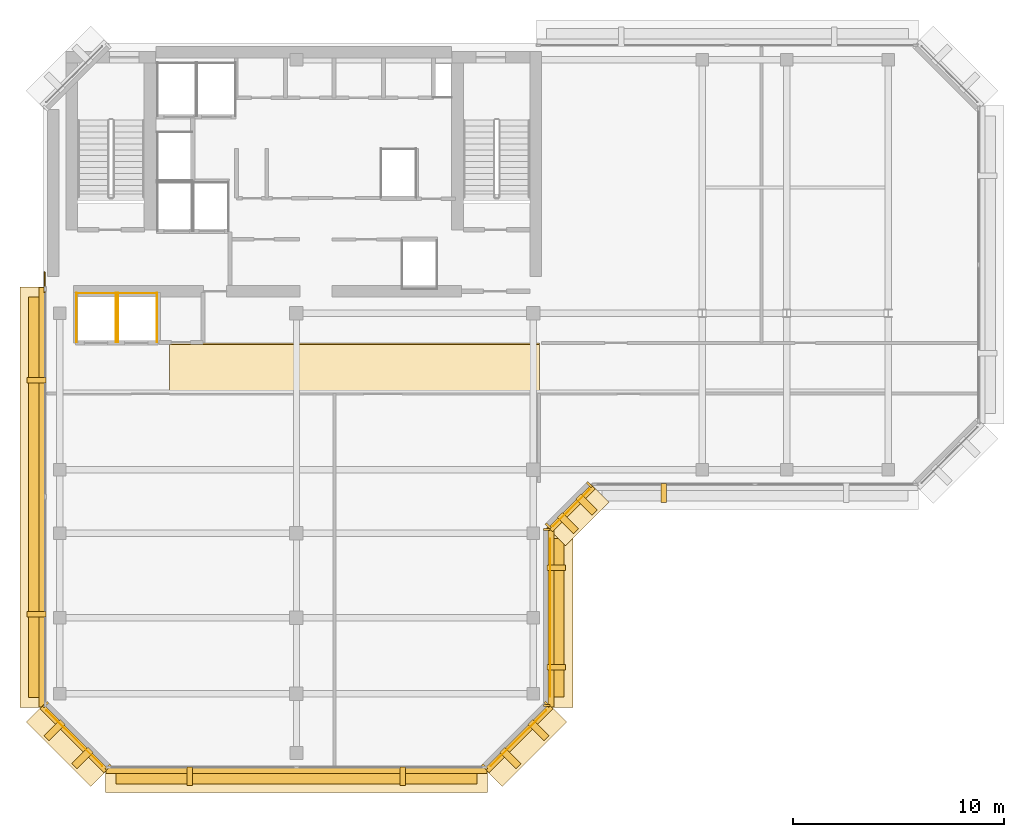
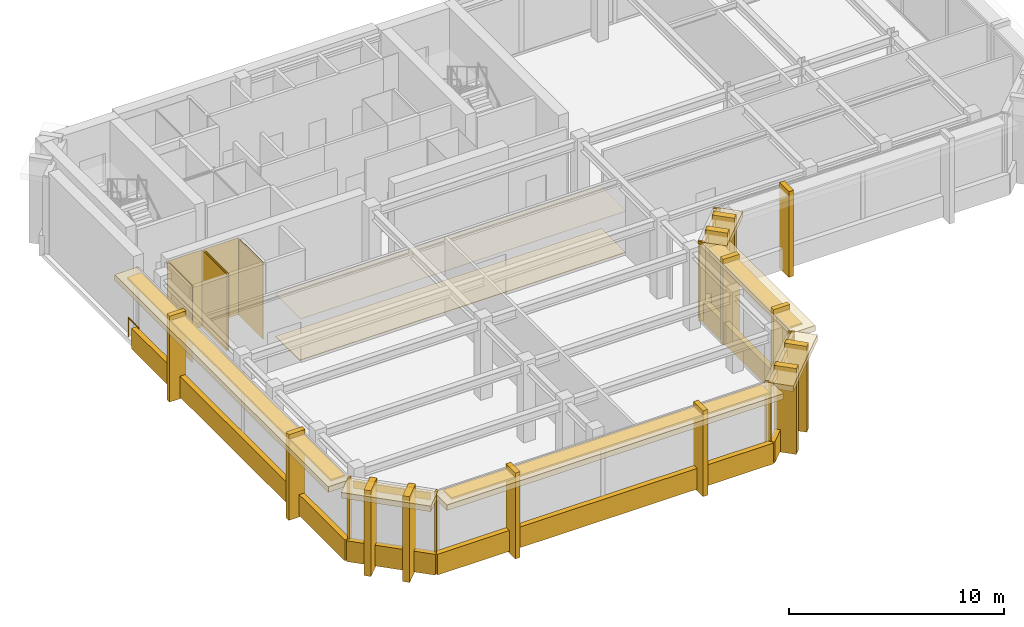
# One storey, part 7 of 9: 45 coverings, 3 shading devices, 1 railing.
"""IFC4 building model written with IfcOpenShell, lengths in metres."""

from ifc_helpers import new_model, si_unit, direction, frame, origin, origin_2d, place, context, subcontext, project, spatial, polyline, rectangle, circle, outline, extrude, material, layer, layer_set, type_object, element, save


model = new_model("IFC4")

# Units and contexts
model_context = context("Model", 3, precision=1e-05, world=origin(), true_north=direction((0.0, 1.0)))
body_context = subcontext(model_context, "Body", "Model", "MODEL_VIEW")
ifc_project = project(units=[si_unit("LENGTHUNIT", "METRE"), si_unit("AREAUNIT", "SQUARE_METRE"), si_unit("VOLUMEUNIT", "CUBIC_METRE"), si_unit("PLANEANGLEUNIT", "RADIAN"), si_unit("MASSUNIT", "GRAM", prefix="KILO")], contexts=[model_context])

# Site, building, storey
site_placement = place(None, origin())
site = spatial("IfcSite", under=ifc_project, at=site_placement, CompositionType="ELEMENT")
building_placement = place(site_placement, origin())
building = spatial("IfcBuilding", under=site, at=building_placement, Name="Kefirva Bronze Tower", CompositionType="ELEMENT")
storey_placement = place(building_placement, frame((0.0, 0.0, 352.110107421875)))
storey = spatial("IfcBuildingStorey", under=building, at=storey_placement, Name="L86", CompositionType="ELEMENT", Elevation=352.110107421875)

# Coverings
ifc_material_1 = material(Name="Acoustic mineral tile")
ifc_layer_1 = layer(ifc_material_1, 0.02490234375, Name="Acoustic mineral tile")
ifc_layer_set_1 = layer_set([ifc_layer_1], Name="Acoustic mineral tile")
covering_type_1 = type_object("IfcCoveringType", Name="Acoustic Mineral Suspended Ceiling 25mm", PredefinedType="CEILING", material=ifc_layer_set_1)
covering_1_placement = place(storey_placement, frame((0.0, 0.0, 2.39990234375)))
element("IfcCovering", 1, at=covering_1_placement, inside=storey, type_object=covering_type_1, Name="L86 Corridor Acoustic Ceiling", PredefinedType="CEILING", context=body_context, shape_type="SweptSolid", body=[
    extrude(outline(polyline([(6.0, 29.39990234375), (23.5, 29.39990234375), (23.5, 31.800048828125), (6.0, 31.800048828125), (6.0, 29.39990234375)])), origin(), (0.0, 0.0, 1.0), 0.02490234375),
])
ifc_material_2 = material(Name="Bronze anodised aluminium", Category="aluminium")
ifc_layer_2 = layer(ifc_material_2, 0.02001953125, Name="Bronze anodised aluminium")
ifc_layer_set_2 = layer_set([ifc_layer_2], Name="Bronze anodised aluminium")
covering_type_2 = type_object("IfcCoveringType", Name="Anodised Bronze Spandrel Cladding 20mm", PredefinedType="CLADDING", material=ifc_layer_set_2)
covering_2_placement = place(storey_placement, frame((12.0, 11.56005859375, -0.16015625), z_axis=(0.0, 0.0, 1.0), x_axis=(1.0, 0.0, 0.0)))
element("IfcCovering", 2, at=covering_2_placement, inside=storey, type_object=covering_type_2, Name="L86 Streamline Horizontal Spandrel Band 0", PredefinedType="CLADDING", context=body_context, shape_type="SweptSolid", body=[
    extrude(rectangle(XDim=18.0400390625, YDim=0.280029296875, at=origin_2d()), origin(), (0.0, 0.0, 1.0), 1.179931640625),
])
covering_3_placement = place(storey_placement, frame((22.507080078125, 13.093017578125, 3.949951171875), z_axis=(0.0, 0.0, 1.0), x_axis=(0.707106781187, 0.707106781187, 0.0)))
element("IfcCovering", 3, at=covering_3_placement, inside=storey, type_object=covering_type_2, Name="L86 Bronze Spandrel Cladding 1", PredefinedType="CLADDING", context=body_context, shape_type="SweptSolid", body=[
    extrude(rectangle(XDim=3.719482421875, YDim=0.02001953125, at=origin_2d()), origin(), (0.0, 0.0, 1.0), 0.39990234375),
])
for number, where, z_axis, x_axis, name in (
    (4, (20.91162109375, 11.73779296875, -0.000244140625), (0.0, 0.0, 1.0), (0.707106781187, 0.707106781187, 0.0), "L86 Facade Joint Closure Panel 1S"),
    (5, (23.862060546875, 14.688232421875, -0.000244140625), (0.0, 0.0, 1.0), (0.707106781187, 0.707106781187, 0.0), "L86 Facade Joint Closure Panel 1E"),
):
    element("IfcCovering", number, at=place(storey_placement, frame(where, z_axis=z_axis, x_axis=x_axis)), inside=storey, type_object=covering_type_2, Name=name, PredefinedType="CLADDING", context=body_context, shape_type="SweptSolid", body=[
        extrude(rectangle(XDim=0.10009765625, YDim=0.320068359375, at=origin_2d()), origin(), (0.0, 0.0, 1.0), 4.3701171875),
    ])
covering_4_placement = place(storey_placement, frame((22.5283203125, 13.07177734375, -0.16015625), z_axis=(0.0, 0.0, 1.0), x_axis=(0.707106781187, 0.707106781187, 0.0)))
element("IfcCovering", 6, at=covering_4_placement, inside=storey, type_object=covering_type_2, Name="L86 Streamline Horizontal Spandrel Band 1", PredefinedType="CLADDING", context=body_context, shape_type="SweptSolid", body=[
    extrude(rectangle(XDim=4.28271484375, YDim=0.280029296875, at=origin_2d()), origin(), (0.0, 0.0, 1.0), 1.179931640625),
])
covering_5_placement = place(storey_placement, frame((24.010009765625, 18.800048828125, 3.949951171875), z_axis=(0.0, 0.0, 1.0), x_axis=(0.0, 1.0, 0.0)))
element("IfcCovering", 7, at=covering_5_placement, inside=storey, type_object=covering_type_2, Name="L86 Bronze Spandrel Cladding 2", PredefinedType="CLADDING", context=body_context, shape_type="SweptSolid", body=[
    extrude(rectangle(XDim=7.4609375, YDim=0.02001953125, at=origin_2d()), origin(), (0.0, 0.0, 1.0), 0.39990234375),
])
for number, where, z_axis, x_axis, name in (
    (8, (23.840087890625, 14.635009765625, -0.000244140625), (0.0, 0.0, 1.0), (0.0, 1.0, 0.0), "L86 Facade Joint Closure Panel 2S"),
    (9, (23.840087890625, 22.965087890625, -0.000244140625), (0.0, 0.0, 1.0), (0.0, 1.0, 0.0), "L86 Facade Joint Closure Panel 2E"),
):
    element("IfcCovering", number, at=place(storey_placement, frame(where, z_axis=z_axis, x_axis=x_axis)), inside=storey, type_object=covering_type_2, Name=name, PredefinedType="CLADDING", context=body_context, shape_type="SweptSolid", body=[
        extrude(rectangle(XDim=0.10009765625, YDim=0.320068359375, at=origin_2d()), origin(), (0.0, 0.0, 1.0), 4.3701171875),
    ])
covering_6_placement = place(storey_placement, frame((24.0400390625, 18.800048828125, -0.16015625), z_axis=(0.0, 0.0, 1.0), x_axis=(0.0, 1.0, 0.0)))
element("IfcCovering", 10, at=covering_6_placement, inside=storey, type_object=covering_type_2, Name="L86 Streamline Horizontal Spandrel Band 2", PredefinedType="CLADDING", context=body_context, shape_type="SweptSolid", body=[
    extrude(rectangle(XDim=8.43994140625, YDim=0.280029296875, at=origin_2d()), origin(), (0.0, 0.0, 1.0), 1.179931640625),
])
covering_7_placement = place(storey_placement, frame((25.007080078125, 23.992919921875, 3.949951171875), z_axis=(0.0, 0.0, 1.0), x_axis=(0.707106781187, 0.707106781187, 0.0)))
element("IfcCovering", 11, at=covering_7_placement, inside=storey, type_object=covering_type_2, Name="L86 Bronze Spandrel Cladding 3", PredefinedType="CLADDING", context=body_context, shape_type="SweptSolid", body=[
    extrude(rectangle(XDim=2.446533203125, YDim=0.02001953125, at=origin_2d()), origin(), (0.0, 0.0, 1.0), 0.39990234375),
])
for number, where, z_axis, x_axis, name in (
    (12, (23.91162109375, 23.137939453125, -0.000244140625), (0.0, 0.0, 1.0), (0.707106781187, 0.707106781187, 0.0), "L86 Facade Joint Closure Panel 3S"),
    (13, (25.862060546875, 25.08837890625, -0.000244140625), (0.0, 0.0, 1.0), (0.707106781187, 0.707106781187, 0.0), "L86 Facade Joint Closure Panel 3E"),
):
    element("IfcCovering", number, at=place(storey_placement, frame(where, z_axis=z_axis, x_axis=x_axis)), inside=storey, type_object=covering_type_2, Name=name, PredefinedType="CLADDING", context=body_context, shape_type="SweptSolid", body=[
        extrude(rectangle(XDim=0.10009765625, YDim=0.320068359375, at=origin_2d()), origin(), (0.0, 0.0, 1.0), 4.3701171875),
    ])
covering_8_placement = place(storey_placement, frame((25.0283203125, 23.9716796875, -0.16015625), z_axis=(0.0, 0.0, 1.0), x_axis=(0.707106781187, 0.707106781187, 0.0)))
element("IfcCovering", 14, at=covering_8_placement, inside=storey, type_object=covering_type_2, Name="L86 Streamline Horizontal Spandrel Band 3", PredefinedType="CLADDING", context=body_context, shape_type="SweptSolid", body=[
    extrude(rectangle(XDim=2.868408203125, YDim=0.280029296875, at=origin_2d()), origin(), (0.0, 0.0, 1.0), 1.179931640625),
])
covering_9_placement = place(storey_placement, frame((-0.0400390625, 24.49755859375, -0.16015625), z_axis=(0.0, 0.0, 1.0), x_axis=(0.0, -1.0, 0.0)))
element("IfcCovering", 15, at=covering_9_placement, inside=storey, type_object=covering_type_2, Name="L86 Streamline Horizontal Spandrel Band 10", PredefinedType="CLADDING", context=body_context, shape_type="SweptSolid", body=[
    extrude(rectangle(XDim=19.8349609375, YDim=0.280029296875, at=origin_2d()), origin(), (0.0, 0.0, 1.0), 1.179931640625),
])
covering_10_placement = place(storey_placement, frame((1.492919921875, 13.093017578125, 3.949951171875), z_axis=(0.0, 0.0, 1.0), x_axis=(0.707106781187, -0.707106781187, 0.0)))
element("IfcCovering", 16, at=covering_10_placement, inside=storey, type_object=covering_type_2, Name="L86 Bronze Spandrel Cladding 7", PredefinedType="CLADDING", context=body_context, shape_type="SweptSolid", body=[
    extrude(rectangle(XDim=3.719482421875, YDim=0.02001953125, at=origin_2d()), origin(), (0.0, 0.0, 1.0), 0.39990234375),
])
for number, where, z_axis, x_axis, name in (
    (17, (0.137939453125, 14.688232421875, -0.000244140625), (0.0, 0.0, 1.0), (0.707106781187, -0.707106781187, 0.0), "L86 Facade Joint Closure Panel 7S"),
    (18, (3.08837890625, 11.73779296875, -0.000244140625), (0.0, 0.0, 1.0), (0.707106781187, -0.707106781187, 0.0), "L86 Facade Joint Closure Panel 7E"),
):
    element("IfcCovering", number, at=place(storey_placement, frame(where, z_axis=z_axis, x_axis=x_axis)), inside=storey, type_object=covering_type_2, Name=name, PredefinedType="CLADDING", context=body_context, shape_type="SweptSolid", body=[
        extrude(rectangle(XDim=0.10009765625, YDim=0.320068359375, at=origin_2d()), origin(), (0.0, 0.0, 1.0), 4.3701171875),
    ])
covering_11_placement = place(storey_placement, frame((1.4716796875, 13.07177734375, -0.16015625), z_axis=(0.0, 0.0, 1.0), x_axis=(0.707106781187, -0.707106781187, 0.0)))
element("IfcCovering", 19, at=covering_11_placement, inside=storey, type_object=covering_type_2, Name="L86 Streamline Horizontal Spandrel Band 11", PredefinedType="CLADDING", context=body_context, shape_type="SweptSolid", body=[
    extrude(rectangle(XDim=4.28271484375, YDim=0.280029296875, at=origin_2d()), origin(), (0.0, 0.0, 1.0), 1.179931640625),
])
covering_12_placement = place(storey_placement, origin())
element("IfcCovering", 20, at=covering_12_placement, inside=storey, type_object=covering_type_2, Name="L86 Lift OB1 Hoistway Liner N", PredefinedType="CLADDING", context=body_context, shape_type="SweptSolid", body=[
    extrude(outline(polyline([(1.580078125, 34.139892578125), (3.469970703125, 34.139892578125), (3.469970703125, 34.159912109375), (1.580078125, 34.159912109375), (1.580078125, 34.139892578125)])), origin(), (0.0, 0.0, 1.0), 4.369873046875),
])
covering_13_placement = place(storey_placement, origin())
element("IfcCovering", 21, at=covering_13_placement, inside=storey, type_object=covering_type_2, Name="L86 Lift OB1 Hoistway Liner W", PredefinedType="CLADDING", context=body_context, shape_type="SweptSolid", body=[
    extrude(outline(polyline([(1.590087890625, 31.830078125), (1.610107421875, 31.830078125), (1.610107421875, 34.169921875), (1.590087890625, 34.169921875), (1.590087890625, 31.830078125)])), origin(), (0.0, 0.0, 1.0), 4.369873046875),
])
covering_14_placement = place(storey_placement, origin())
element("IfcCovering", 22, at=covering_14_placement, inside=storey, type_object=covering_type_2, Name="L86 Lift OB1 Hoistway Liner E", PredefinedType="CLADDING", context=body_context, shape_type="SweptSolid", body=[
    extrude(outline(polyline([(3.43994140625, 31.830078125), (3.4599609375, 31.830078125), (3.4599609375, 34.169921875), (3.43994140625, 34.169921875), (3.43994140625, 31.830078125)])), origin(), (0.0, 0.0, 1.0), 4.369873046875),
])
covering_15_placement = place(storey_placement, origin())
element("IfcCovering", 23, at=covering_15_placement, inside=storey, type_object=covering_type_2, Name="L86 Lift OB2 Hoistway Liner N", PredefinedType="CLADDING", context=body_context, shape_type="SweptSolid", body=[
    extrude(outline(polyline([(3.530029296875, 34.139892578125), (5.419921875, 34.139892578125), (5.419921875, 34.159912109375), (3.530029296875, 34.159912109375), (3.530029296875, 34.139892578125)])), origin(), (0.0, 0.0, 1.0), 4.369873046875),
])
covering_16_placement = place(storey_placement, origin())
element("IfcCovering", 24, at=covering_16_placement, inside=storey, type_object=covering_type_2, Name="L86 Lift OB2 Hoistway Liner W", PredefinedType="CLADDING", context=body_context, shape_type="SweptSolid", body=[
    extrude(outline(polyline([(3.5400390625, 31.830078125), (3.56005859375, 31.830078125), (3.56005859375, 34.169921875), (3.5400390625, 34.169921875), (3.5400390625, 31.830078125)])), origin(), (0.0, 0.0, 1.0), 4.369873046875),
])
covering_17_placement = place(storey_placement, origin())
element("IfcCovering", 25, at=covering_17_placement, inside=storey, type_object=covering_type_2, Name="L86 Lift OB2 Hoistway Liner E", PredefinedType="CLADDING", context=body_context, shape_type="SweptSolid", body=[
    extrude(outline(polyline([(5.389892578125, 31.830078125), (5.409912109375, 31.830078125), (5.409912109375, 34.169921875), (5.389892578125, 34.169921875), (5.389892578125, 31.830078125)])), origin(), (0.0, 0.0, 1.0), 4.369873046875),
])
ifc_material_3 = material(Name="Honed basalt stone paver", Category="masonry")
ifc_layer_3 = layer(ifc_material_3, 0.034912109375, Name="Honed basalt stone paver")
ifc_layer_set_3 = layer_set([ifc_layer_3], Name="Honed basalt stone paver")
covering_type_3 = type_object("IfcCoveringType", Name="Honed Basalt Concourse Flooring 35mm", PredefinedType="FLOORING", material=ifc_layer_set_3)
covering_18_placement = place(storey_placement, origin())
element("IfcCovering", 26, at=covering_18_placement, inside=storey, type_object=covering_type_3, Name="L86 Architectural Finish Flooring", PredefinedType="FLOORING", context=body_context, shape_type="SweptSolid", body=[
    extrude(outline(polyline([(6.0, 29.47998046875), (23.5, 29.47998046875), (23.5, 31.719970703125), (6.0, 31.719970703125), (6.0, 29.47998046875)])), origin(), (0.0, 0.0, 1.0), 0.034912109375),
])

# Shading devices
ifc_layer_4 = layer(ifc_material_2, 0.090087890625, Name="Bronze anodised aluminium")
ifc_layer_set_4 = layer_set([ifc_layer_4], Name="Bronze anodised aluminium")
shading_device_type = type_object("IfcShadingDeviceType", Name="Horizontal Bronze Sunshade Band 750mm", PredefinedType="JALOUSIE", material=ifc_layer_set_4)
shading_device_1_placement = place(storey_placement, frame((12.0, 11.304931640625, 4.2646484375), z_axis=(0.0, 0.0, 1.0), x_axis=(1.0, 0.0, 0.0)))
element("IfcShadingDevice", 27, at=shading_device_1_placement, inside=storey, type_object=shading_device_type, Name="L86 Horizontal Bronze Sunshade Band 0", PredefinedType="JALOUSIE", context=body_context, shape_type="SweptSolid", body=[
    extrude(rectangle(XDim=17.090087890625, YDim=0.75, at=origin_2d()), origin(), (0.0, 0.0, 1.0), 0.090087890625),
])
shading_device_2_placement = place(storey_placement, frame((24.294921875, 18.800048828125, 4.2646484375), z_axis=(0.0, 0.0, 1.0), x_axis=(0.0, 1.0, 0.0)))
element("IfcShadingDevice", 28, at=shading_device_2_placement, inside=storey, type_object=shading_device_type, Name="L86 Horizontal Bronze Sunshade Band 2", PredefinedType="JALOUSIE", context=body_context, shape_type="SweptSolid", body=[
    extrude(rectangle(XDim=7.489990234375, YDim=0.75, at=origin_2d()), origin(), (0.0, 0.0, 1.0), 0.090087890625),
])
shading_device_3_placement = place(storey_placement, frame((-0.294921875, 24.49755859375, 4.2646484375), z_axis=(0.0, 0.0, 1.0), x_axis=(0.0, -1.0, 0.0)))
element("IfcShadingDevice", 29, at=shading_device_3_placement, inside=storey, type_object=shading_device_type, Name="L86 Horizontal Bronze Sunshade Band 10", PredefinedType="JALOUSIE", context=body_context, shape_type="SweptSolid", body=[
    extrude(rectangle(XDim=18.93994140625, YDim=0.75, at=origin_2d()), origin(), (0.0, 0.0, 1.0), 0.090087890625),
])

# Railing
ifc_material_4 = material(Name="Stainless steel 316", Category="steel")
railing_type = type_object("IfcRailingType", Name="Interior Stair Guardrail 1100mm", PredefinedType="GUARDRAIL", material=ifc_material_4)
railing_placement = place(storey_placement, frame((0.080078125, 34.199951171875, 0.0)))
element("IfcRailing", 30, at=railing_placement, inside=storey, type_object=railing_type, Name="L86 West Core Junction Guardrail", PredefinedType="GUARDRAIL", context=body_context, shape_type="SweptSolid", body=[
    extrude(circle(Radius=0.02392578125, at=origin_2d()), frame((0.0, 0.0, 1.076171875), z_axis=(0.0, 1.0, 0.0), x_axis=(-1.0, 0.0, 0.0)), (0.0, 0.0, 1.0), 0.949951171875),
    extrude(circle(Radius=0.02099609375, at=origin_2d()), origin(), (0.0, 0.0, 1.0), 1.052001953125),
    extrude(circle(Radius=0.02099609375, at=origin_2d()), frame((0.0, 0.949951171875, 0.0)), (0.0, 0.0, 1.0), 1.052001953125),
])

# Coverings
ifc_layer_5 = layer(ifc_material_2, 0.179931640625, Name="Bronze anodised aluminium")
ifc_layer_set_5 = layer_set([ifc_layer_5], Name="Bronze anodised aluminium")
covering_type_4 = type_object("IfcCoveringType", Name="Streamline Bronze Sunshade Eyebrow Cladding 180mm", PredefinedType="CLADDING", material=ifc_layer_set_5)
covering_19_placement = place(storey_placement, frame((12.0, 11.139892578125, 4.0498046875), z_axis=(0.0, 0.0, 1.0), x_axis=(1.0, 0.0, 0.0)))
element("IfcCovering", 31, at=covering_19_placement, inside=storey, type_object=covering_type_4, Name="L86 Streamline Bronze Sunshade Eyebrow 0", PredefinedType="CLADDING", context=body_context, shape_type="SweptSolid", body=[
    extrude(rectangle(XDim=18.080078125, YDim=1.239990234375, at=origin_2d()), origin(), (0.0, 0.0, 1.0), 0.320068359375),
])
covering_20_placement = place(storey_placement, frame((22.8251953125, 12.774658203125, 4.0498046875), z_axis=(0.0, 0.0, 1.0), x_axis=(0.707106781187, 0.707106781187, 0.0)))
element("IfcCovering", 32, at=covering_20_placement, inside=storey, type_object=covering_type_4, Name="L86 Streamline Bronze Sunshade Eyebrow 1", PredefinedType="CLADDING", context=body_context, shape_type="SweptSolid", body=[
    extrude(rectangle(XDim=4.322509765625, YDim=1.239990234375, at=origin_2d()), origin(), (0.0, 0.0, 1.0), 0.320068359375),
])
covering_21_placement = place(storey_placement, frame((24.4599609375, 18.800048828125, 4.0498046875), z_axis=(0.0, 0.0, 1.0), x_axis=(0.0, 1.0, 0.0)))
element("IfcCovering", 33, at=covering_21_placement, inside=storey, type_object=covering_type_4, Name="L86 Streamline Bronze Sunshade Eyebrow 2", PredefinedType="CLADDING", context=body_context, shape_type="SweptSolid", body=[
    extrude(rectangle(XDim=8.47998046875, YDim=1.239990234375, at=origin_2d()), origin(), (0.0, 0.0, 1.0), 0.320068359375),
])
covering_22_placement = place(storey_placement, frame((25.3251953125, 23.6748046875, 4.0498046875), z_axis=(0.0, 0.0, 1.0), x_axis=(0.707106781187, 0.707106781187, 0.0)))
element("IfcCovering", 34, at=covering_22_placement, inside=storey, type_object=covering_type_4, Name="L86 Streamline Bronze Sunshade Eyebrow 3", PredefinedType="CLADDING", context=body_context, shape_type="SweptSolid", body=[
    extrude(rectangle(XDim=2.908447265625, YDim=1.239990234375, at=origin_2d()), origin(), (0.0, 0.0, 1.0), 0.320068359375),
])
covering_23_placement = place(storey_placement, frame((-0.4599609375, 24.49755859375, 4.0498046875), z_axis=(0.0, 0.0, 1.0), x_axis=(0.0, -1.0, 0.0)))
element("IfcCovering", 35, at=covering_23_placement, inside=storey, type_object=covering_type_4, Name="L86 Streamline Bronze Sunshade Eyebrow 10", PredefinedType="CLADDING", context=body_context, shape_type="SweptSolid", body=[
    extrude(rectangle(XDim=19.875, YDim=1.239990234375, at=origin_2d()), origin(), (0.0, 0.0, 1.0), 0.320068359375),
])
covering_24_placement = place(storey_placement, frame((1.1748046875, 12.774658203125, 4.0498046875), z_axis=(0.0, 0.0, 1.0), x_axis=(0.707106781187, -0.707106781187, 0.0)))
element("IfcCovering", 36, at=covering_24_placement, inside=storey, type_object=covering_type_4, Name="L86 Streamline Bronze Sunshade Eyebrow 11", PredefinedType="CLADDING", context=body_context, shape_type="SweptSolid", body=[
    extrude(rectangle(XDim=4.322509765625, YDim=1.239990234375, at=origin_2d()), origin(), (0.0, 0.0, 1.0), 0.320068359375),
])
ifc_layer_6 = layer(ifc_material_2, 0.260009765625, Name="Bronze anodised aluminium")
ifc_layer_set_6 = layer_set([ifc_layer_6], Name="Bronze anodised aluminium")
covering_type_5 = type_object("IfcCoveringType", Name="Unbroken Bronze Buttress Fin Cladding 260mm", PredefinedType="CLADDING", material=ifc_layer_set_6)
for number, where, z_axis, x_axis, name in (
    (37, (6.9599609375, 11.300048828125, -0.250244140625), (0.0, 0.0, 1.0), (1.0, 0.0, 0.0), "L86 Unbroken Vertical Bronze Rib Fin 1"),
    (38, (17.0400390625, 11.300048828125, -0.250244140625), (0.0, 0.0, 1.0), (1.0, 0.0, 0.0), "L86 Unbroken Vertical Bronze Rib Fin 2"),
):
    element("IfcCovering", number, at=place(storey_placement, frame(where, z_axis=z_axis, x_axis=x_axis)), inside=storey, type_object=covering_type_5, Name=name, PredefinedType="CLADDING", context=body_context, shape_type="SweptSolid", body=[
        extrude(rectangle(XDim=0.260009765625, YDim=0.8798828125, at=origin_2d()), origin(), (0.0, 0.0, 1.0), 4.8701171875),
    ])
for number, where, z_axis, x_axis, name in (
    (39, (22.122802734375, 12.1572265625, -0.250244140625), (0.0, 0.0, 1.0), (0.707106781187, 0.707106781187, 0.0), "L86 Chamfered Corner Buttress Fin Cladding 3"),
    (40, (23.44287109375, 13.477294921875, -0.250244140625), (0.0, 0.0, 1.0), (0.707106781187, 0.707106781187, 0.0), "L86 Chamfered Corner Buttress Fin Cladding 4"),
):
    element("IfcCovering", number, at=place(storey_placement, frame(where, z_axis=z_axis, x_axis=x_axis)), inside=storey, type_object=covering_type_5, Name=name, PredefinedType="CLADDING", context=body_context, shape_type="SweptSolid", body=[
        extrude(rectangle(XDim=0.340087890625, YDim=1.080078125, at=origin_2d()), origin(), (0.0, 0.0, 1.0), 4.8701171875),
    ])
for number, where, z_axis, x_axis, name in (
    (41, (24.300048828125, 16.447998046875, -0.250244140625), (0.0, 0.0, 1.0), (0.0, 1.0, 0.0), "L86 Unbroken Vertical Bronze Rib Fin 5"),
    (42, (24.300048828125, 21.152099609375, -0.250244140625), (0.0, 0.0, 1.0), (0.0, 1.0, 0.0), "L86 Unbroken Vertical Bronze Rib Fin 6"),
):
    element("IfcCovering", number, at=place(storey_placement, frame(where, z_axis=z_axis, x_axis=x_axis)), inside=storey, type_object=covering_type_5, Name=name, PredefinedType="CLADDING", context=body_context, shape_type="SweptSolid", body=[
        extrude(rectangle(XDim=0.260009765625, YDim=0.8798828125, at=origin_2d()), origin(), (0.0, 0.0, 1.0), 4.8701171875),
    ])
for number, where, z_axis, x_axis, name in (
    (43, (24.8427734375, 23.277099609375, -0.250244140625), (0.0, 0.0, 1.0), (0.707106781187, 0.707106781187, 0.0), "L86 Chamfered Corner Buttress Fin Cladding 7"),
    (44, (25.722900390625, 24.1572265625, -0.250244140625), (0.0, 0.0, 1.0), (0.707106781187, 0.707106781187, 0.0), "L86 Chamfered Corner Buttress Fin Cladding 8"),
):
    element("IfcCovering", number, at=place(storey_placement, frame(where, z_axis=z_axis, x_axis=x_axis)), inside=storey, type_object=covering_type_5, Name=name, PredefinedType="CLADDING", context=body_context, shape_type="SweptSolid", body=[
        extrude(rectangle(XDim=0.340087890625, YDim=1.080078125, at=origin_2d()), origin(), (0.0, 0.0, 1.0), 4.8701171875),
    ])
for number, where, z_axis, x_axis, name in (
    (45, (29.387939453125, 24.699951171875, -0.250244140625), (0.0, 0.0, 1.0), (1.0, 0.0, 0.0), "L86 Unbroken Vertical Bronze Rib Fin 9"),
    (46, (-0.300048828125, 30.0400390625, -0.250244140625), (0.0, 0.0, 1.0), (0.0, -1.0, 0.0), "L86 Unbroken Vertical Bronze Rib Fin 21"),
    (47, (-0.300048828125, 18.954833984375, -0.250244140625), (0.0, 0.0, 1.0), (0.0, -1.0, 0.0), "L86 Unbroken Vertical Bronze Rib Fin 22"),
):
    element("IfcCovering", number, at=place(storey_placement, frame(where, z_axis=z_axis, x_axis=x_axis)), inside=storey, type_object=covering_type_5, Name=name, PredefinedType="CLADDING", context=body_context, shape_type="SweptSolid", body=[
        extrude(rectangle(XDim=0.260009765625, YDim=0.8798828125, at=origin_2d()), origin(), (0.0, 0.0, 1.0), 4.8701171875),
    ])
for number, where, z_axis, x_axis, name in (
    (48, (0.55712890625, 13.477294921875, -0.250244140625), (0.0, 0.0, 1.0), (0.707106781187, -0.707106781187, 0.0), "L86 Chamfered Corner Buttress Fin Cladding 23"),
    (49, (1.877197265625, 12.1572265625, -0.250244140625), (0.0, 0.0, 1.0), (0.707106781187, -0.707106781187, 0.0), "L86 Chamfered Corner Buttress Fin Cladding 24"),
):
    element("IfcCovering", number, at=place(storey_placement, frame(where, z_axis=z_axis, x_axis=x_axis)), inside=storey, type_object=covering_type_5, Name=name, PredefinedType="CLADDING", context=body_context, shape_type="SweptSolid", body=[
        extrude(rectangle(XDim=0.340087890625, YDim=1.080078125, at=origin_2d()), origin(), (0.0, 0.0, 1.0), 4.8701171875),
    ])

save(model, "model.ifc")
